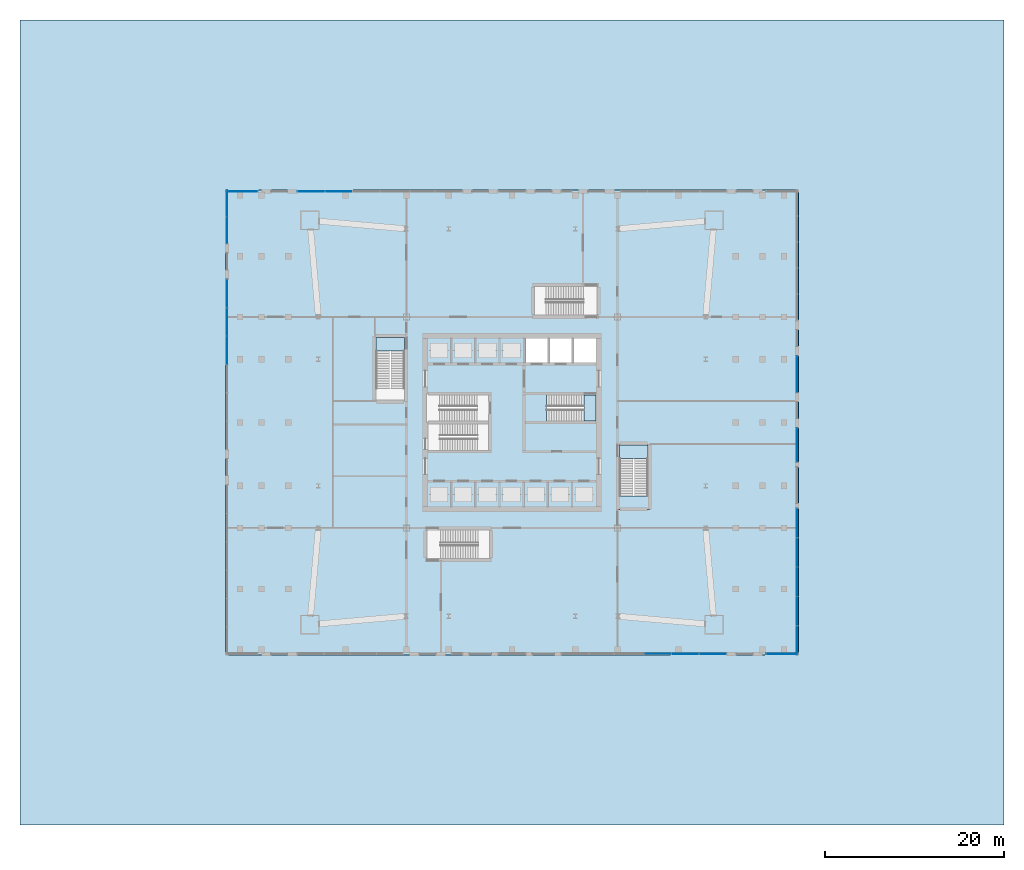
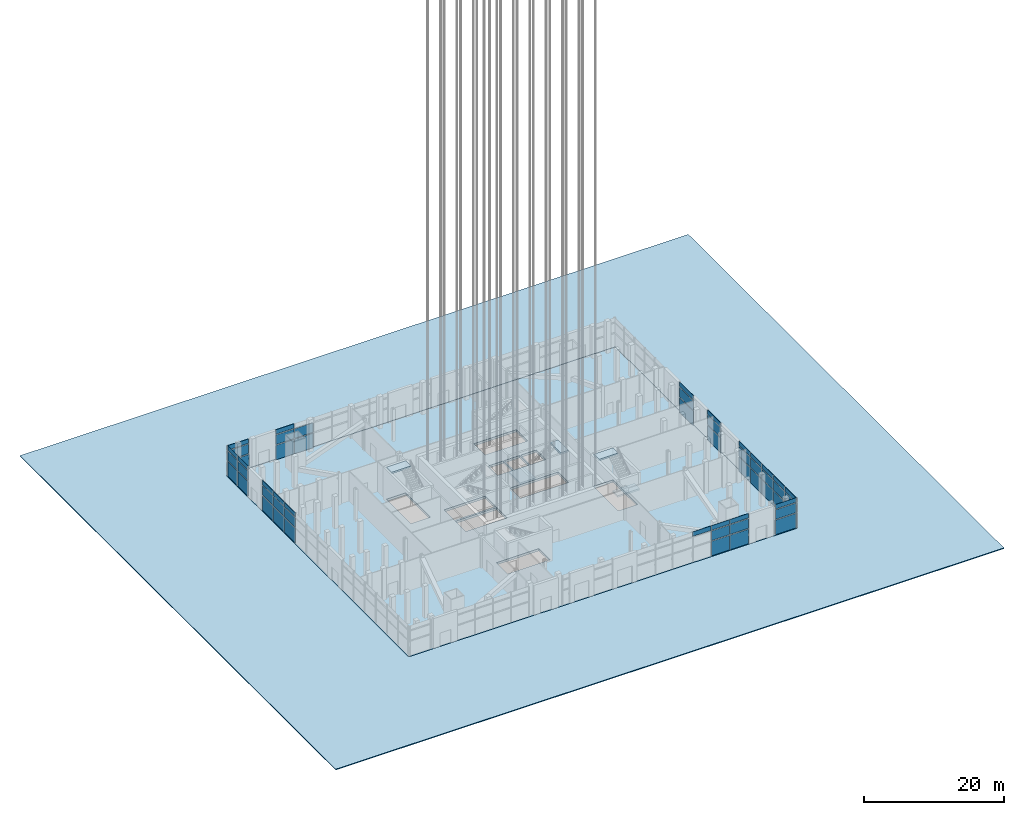
# One storey, part 10 of 27: 54 plates, 7 slabs, 12 elements without a shape of their own.
"""IFC4 building model written with IfcOpenShell, lengths in metres."""

import ifcopenshell
import ifcopenshell.guid

model = None  # the IFC model being written
_history = None  # IfcOwnerHistory: only IFC2X3 demands one
_inside = {}  # id of a spatial element -> (the spatial element, [elements in it])
_under = {}  # id of a project, library or spatial element -> (it, [spatial elements below it])
_declared = {}  # id of a project -> (the project, [libraries it declares])
_typed = {}  # id of a type object -> (the type object, [elements of that type])
_made_of = {}  # id of a material, layer set ... -> (it, [elements and type objects made of it])


def new_model(schema):
    """Start an empty IFC model of exactly this schema.

    Asked for "IFC4X3", IfcOpenShell would pick the latest addendum, in which some entities
    have other attributes; the version numbers below select the first issue.
    IFC2X3 requires an IfcOwnerHistory on every rooted entity: one is made here for all.
    """
    global model, _history
    if schema == "IFC4X3":
        model = ifcopenshell.file(schema_version=(4, 3, 0, 0))
    else:
        model = ifcopenshell.file(schema=schema)
    _inside.clear()
    _under.clear()
    _declared.clear()
    _typed.clear()
    _made_of.clear()
    _history = None
    if model.schema == "IFC2X3":
        org = make("IfcOrganization", Name="unknown")
        user = make(
            "IfcPersonAndOrganization",
            ThePerson=make("IfcPerson", FamilyName="unknown"),
            TheOrganization=org,
        )
        app = make(
            "IfcApplication",
            ApplicationDeveloper=org,
            Version="unknown",
            ApplicationFullName="unknown",
            ApplicationIdentifier="unknown",
        )
        _history = make(
            "IfcOwnerHistory",
            OwningUser=user,
            OwningApplication=app,
            ChangeAction="ADDED",
            CreationDate=0,
        )
    return model


def make(cls, **values):
    """One entity of the class cls with the attributes given. An attribute that is None is left unset."""
    return model.create_entity(
        cls, **{name: value for name, value in values.items() if value is not None}
    )


def rooted(cls, **values):
    """An entity with a GlobalId (a new one), such as an element, a storey or a relation."""
    return make(cls, GlobalId=ifcopenshell.guid.new(), OwnerHistory=_history, **values)


def si_unit(unit_type, name, prefix=None):
    """IfcSIUnit, for example si_unit("LENGTHUNIT", "METRE", prefix="MILLI")."""
    return make("IfcSIUnit", UnitType=unit_type, Prefix=prefix, Name=name)


def assignment(units):
    """IfcUnitAssignment: the units of a project."""
    return None if units is None else make("IfcUnitAssignment", Units=units)


def point(xyz):
    """IfcCartesianPoint."""
    return None if xyz is None else make("IfcCartesianPoint", Coordinates=xyz)


def direction(xyz):
    """IfcDirection."""
    return None if xyz is None else make("IfcDirection", DirectionRatios=xyz)


def frame(location, z_axis=None, x_axis=None):
    """IfcAxis2Placement3D, a coordinate frame: its origin and axes. An axis left out is left unset."""
    return make(
        "IfcAxis2Placement3D",
        Location=point(location),
        Axis=direction(z_axis),
        RefDirection=direction(x_axis),
    )


def frame_2d(location, x_axis=None):
    """IfcAxis2Placement2D, a coordinate frame in the plane: its origin and x axis."""
    return make(
        "IfcAxis2Placement2D", Location=point(location), RefDirection=direction(x_axis)
    )


def origin():
    """The frame at (0, 0, 0) with its axes left unset."""
    return frame((0.0, 0.0, 0.0))


def origin_2d():
    """The frame at (0, 0) in the plane with its x axis left unset."""
    return frame_2d((0.0, 0.0))


def place(relative_to, where):
    """IfcLocalPlacement: puts the frame where relative to a parent placement (None: the world)."""
    return make(
        "IfcLocalPlacement", PlacementRelTo=relative_to, RelativePlacement=where
    )


def context(
    kind, dimensions, precision=None, world=None, true_north=None, identifier=None
):
    """IfcGeometricRepresentationContext, for example the 3D "Model" context."""
    return make(
        "IfcGeometricRepresentationContext",
        ContextIdentifier=identifier,
        ContextType=kind,
        CoordinateSpaceDimension=dimensions,
        Precision=precision,
        WorldCoordinateSystem=world,
        TrueNorth=true_north,
    )


def subcontext(parent, identifier, kind, view, scale=None):
    """IfcGeometricRepresentationSubContext, for example "Body" below "Model"."""
    return make(
        "IfcGeometricRepresentationSubContext",
        ContextIdentifier=identifier,
        ContextType=kind,
        ParentContext=parent,
        TargetScale=scale,
        TargetView=view,
    )


def project(units=None, contexts=None):
    """IfcProject with its units and contexts."""
    return rooted(
        "IfcProject",
        Name="project",
        RepresentationContexts=contexts,
        UnitsInContext=assignment(units),
    )


def spatial(cls, under=None, at=None, **own):
    """A site, building, storey or space (cls), placed at a placement, below another one or the project."""
    s = rooted(cls, ObjectPlacement=at, **own)
    if under is not None:
        _under.setdefault(under.id(), (under, []))[1].append(s)
    return s


def polyline(points):
    """IfcPolyline through the points."""
    return make("IfcPolyline", Points=[point(p) for p in points])


def profile(cls, at=None, kind="AREA", **sizes):
    """A parametric profile (cls). Its sizes go by their IFC names, for example OverallWidth=200.0."""
    return make(cls, ProfileType=kind, Position=at, **sizes)


def rectangle(**sizes):
    """IfcRectangleProfileDef."""
    return profile("IfcRectangleProfileDef", **sizes)


def outline(outer, holes=None, kind="AREA"):
    """IfcArbitraryClosedProfileDef: a profile drawn as a closed curve; with holes, ...WithVoids."""
    if holes is None:
        return make("IfcArbitraryClosedProfileDef", ProfileType=kind, OuterCurve=outer)
    return make(
        "IfcArbitraryProfileDefWithVoids",
        ProfileType=kind,
        OuterCurve=outer,
        InnerCurves=holes,
    )


def extrude(swept, where, along, depth):
    """IfcExtrudedAreaSolid: the profile swept, set in the frame where, extruded along a direction by depth."""
    return make(
        "IfcExtrudedAreaSolid",
        SweptArea=swept,
        Position=where,
        ExtrudedDirection=direction(along),
        Depth=depth,
    )


def shape(context_of_items, identifier, shape_type, items):
    """IfcShapeRepresentation: the items that make up one representation, for example the "Body"."""
    return make(
        "IfcShapeRepresentation",
        ContextOfItems=context_of_items,
        RepresentationIdentifier=identifier,
        RepresentationType=shape_type,
        Items=items,
    )


def material(Name=None, Category=None):
    """IfcMaterial."""
    return make("IfcMaterial", Name=Name, Category=Category)


def layer(
    of_material, thickness, ventilated=None, Name=None, Category=None, Priority=None
):
    """IfcMaterialLayer: one layer of a wall or slab, of a material (None: an air gap)."""
    return make(
        "IfcMaterialLayer",
        Material=of_material,
        LayerThickness=thickness,
        IsVentilated=ventilated,
        Name=Name,
        Category=Category,
        Priority=Priority,
    )


def layer_set(layers, Name=None):
    """IfcMaterialLayerSet."""
    return make("IfcMaterialLayerSet", MaterialLayers=layers, LayerSetName=Name)


def made_of(thing, what):
    """Note that an element or type object is made of a material, layer set ...; save() writes the relation."""
    if what is not None:
        _made_of.setdefault(what.id(), (what, []))[1].append(thing)
    return thing


def type_object(cls, material=None, **own):
    """A type object (cls), such as IfcWallType, which elements share."""
    return made_of(rooted(cls, **own), material)


def element(
    cls,
    number,
    at=None,
    inside=None,
    cuts=None,
    type_object=None,
    material=None,
    context=None,
    identifier="Body",
    shape_type=None,
    held_by="IfcProductDefinitionShape",
    body=None,
    shapes=None,
    **own,
):
    """One element of the class cls, such as IfcWall. Its Tag is "e" and its number.

    at: its placement. inside: the storey or other place that contains it. cuts: it is an
    opening in that element (IfcRelVoidsElement). A single representation is given by context,
    identifier, shape_type and body (its items); several are given by shapes. held_by: the class
    of the entity that holds the representations. save() writes the other relations.
    """
    e = rooted(cls, Tag="e%d" % number, ObjectPlacement=at, **own)
    if body is not None:
        shapes = [shape(context, identifier, shape_type, body)]
    if shapes is not None:
        e.Representation = make(held_by, Representations=shapes)
    if inside is not None:
        _inside.setdefault(inside.id(), (inside, []))[1].append(e)
    if cuts is not None:
        rooted(
            "IfcRelVoidsElement", RelatingBuildingElement=cuts, RelatedOpeningElement=e
        )
    if type_object is not None:
        _typed.setdefault(type_object.id(), (type_object, []))[1].append(e)
    return made_of(e, material)


def aggregate(whole, parts):
    """IfcRelAggregates: a whole, such as a stair, and the parts it consists of."""
    return rooted("IfcRelAggregates", RelatingObject=whole, RelatedObjects=parts)


def save(model, path):
    """Write the relations noted so far, then the file.

    IfcRelAggregates (storeys below a building ...), IfcRelContainedInSpatialStructure (elements
    in a storey), IfcRelDefinesByType, IfcRelAssociatesMaterial and IfcRelDeclares: one each for
    every whole, place, type object, material and project.
    """
    for whole, parts in _under.values():
        aggregate(whole, parts)
    for where, things in _inside.values():
        rooted(
            "IfcRelContainedInSpatialStructure",
            RelatedElements=things,
            RelatingStructure=where,
        )
    for kind, things in _typed.values():
        rooted("IfcRelDefinesByType", RelatedObjects=things, RelatingType=kind)
    for what, things in _made_of.values():
        rooted("IfcRelAssociatesMaterial", RelatedObjects=things, RelatingMaterial=what)
    for by, libraries in _declared.values():
        rooted("IfcRelDeclares", RelatingContext=by, RelatedDefinitions=libraries)
    model.write(path)


model = new_model("IFC4")

# Units and contexts
model_context = context("Model", 3, precision=1e-05, world=origin(), true_north=direction((0.0, 1.0)))
body_context = subcontext(model_context, "Body", "Model", "MODEL_VIEW")
ifc_project = project(units=[si_unit("LENGTHUNIT", "METRE"), si_unit("AREAUNIT", "SQUARE_METRE"), si_unit("VOLUMEUNIT", "CUBIC_METRE"), si_unit("PLANEANGLEUNIT", "RADIAN"), si_unit("MASSUNIT", "GRAM", prefix="KILO")], contexts=[model_context])

# Site, building, storey
site_placement = place(None, origin())
site = spatial("IfcSite", under=ifc_project, at=site_placement, CompositionType="ELEMENT")
building_placement = place(site_placement, origin())
building = spatial("IfcBuilding", under=site, at=building_placement, Name="Turquesa Mirador Hotel Tower", CompositionType="ELEMENT")
storey_placement = place(building_placement, origin())
storey = spatial("IfcBuildingStorey", under=building, at=storey_placement, Name="L00", CompositionType="ELEMENT", Elevation=0.0)

# Curtain wall, plates
ifc_material_1 = material(Name="Aluminium extrusion", Category="aluminium")
curtain_wall_type = type_object("IfcCurtainWallType", Name="CW-1 LOBBY CURTAIN WALL", PredefinedType="USERDEFINED", material=ifc_material_1)
curtain_wall_1_placement = place(storey_placement, origin())
curtain_wall_1 = element("IfcCurtainWall", 1, at=curtain_wall_1_placement, inside=storey, type_object=curtain_wall_type, Name="CW-1 LOBBY CURTAIN WALL L00", ObjectType="CURTAIN WALL", PredefinedType="USERDEFINED")
ifc_material_2 = material(Name="Ceramic-printed spandrel glass on an insulated back pan", Category="glass")
ifc_layer_1 = layer(ifc_material_2, 0.050048828125)
ifc_layer_set_1 = layer_set([ifc_layer_1], Name="CW PANEL SPANDREL CERAMIC")
plate_type_1 = type_object("IfcPlateType", Name="CW PANEL SPANDREL CERAMIC", PredefinedType="CURTAIN_PANEL", material=ifc_layer_set_1)
plate_1_placement = place(storey_placement, frame((74.385009765625, 19.14990234375, 0.0), z_axis=(0.0, 0.0, 1.0), x_axis=(1.0, 0.0, 0.0)))
plate_1 = element("IfcPlate", 2, at=plate_1_placement, type_object=plate_type_1, Name="Panel", PredefinedType="CURTAIN_PANEL", context=body_context, shape_type="SweptSolid", body=[
    extrude(rectangle(XDim=3.01171875, YDim=0.050048828125, at=origin_2d()), origin(), (0.0, 0.0, 1.0), 2.52490234375),
])
plate_2_placement = place(storey_placement, frame((77.461669921875, 19.14990234375, 0.0), z_axis=(0.0, 0.0, 1.0), x_axis=(1.0, 0.0, 0.0)))
plate_2 = element("IfcPlate", 3, at=plate_2_placement, type_object=plate_type_1, Name="Panel", PredefinedType="CURTAIN_PANEL", context=body_context, shape_type="SweptSolid", body=[
    extrude(rectangle(XDim=3.01171875, YDim=0.050048828125, at=origin_2d()), origin(), (0.0, 0.0, 1.0), 2.52490234375),
])

# Curtain wall, plate
curtain_wall_2_placement = place(storey_placement, origin())
curtain_wall_2 = element("IfcCurtainWall", 4, at=curtain_wall_2_placement, inside=storey, type_object=curtain_wall_type, Name="CW-1 LOBBY CURTAIN WALL L00", ObjectType="CURTAIN WALL", PredefinedType="USERDEFINED")
plate_3_placement = place(storey_placement, frame((85.192138671875, 19.14990234375, 0.0), z_axis=(0.0, 0.0, 1.0), x_axis=(1.0, 0.0, 0.0)))
plate_3 = element("IfcPlate", 5, at=plate_3_placement, type_object=plate_type_1, Name="Panel", PredefinedType="CURTAIN_PANEL", context=body_context, shape_type="SweptSolid", body=[
    extrude(rectangle(XDim=3.550537109375, YDim=0.050048828125, at=origin_2d()), origin(), (0.0, 0.0, 1.0), 2.52490234375),
])

# Curtain wall, plates
curtain_wall_3_placement = place(storey_placement, origin())
curtain_wall_3 = element("IfcCurtainWall", 6, at=curtain_wall_3_placement, inside=storey, type_object=curtain_wall_type, Name="CW-1 LOBBY CURTAIN WALL L00", ObjectType="CURTAIN WALL", PredefinedType="USERDEFINED")
plate_4_placement = place(storey_placement, frame((86.85009765625, 20.639892578125, 0.0), z_axis=(0.0, 0.0, 1.0), x_axis=(0.0, 1.0, 0.0)))
plate_4 = element("IfcPlate", 7, at=plate_4_placement, type_object=plate_type_1, Name="Panel", PredefinedType="CURTAIN_PANEL", context=body_context, shape_type="SweptSolid", body=[
    extrude(rectangle(XDim=3.215087890625, YDim=0.050048828125, at=origin_2d()), origin(), (0.0, 0.0, 1.0), 2.52490234375),
])
plate_5_placement = place(storey_placement, frame((86.85009765625, 23.919921875, 0.0), z_axis=(0.0, 0.0, 1.0), x_axis=(0.0, 1.0, 0.0)))
plate_5 = element("IfcPlate", 8, at=plate_5_placement, type_object=plate_type_1, Name="Panel", PredefinedType="CURTAIN_PANEL", context=body_context, shape_type="SweptSolid", body=[
    extrude(rectangle(XDim=3.215087890625, YDim=0.050048828125, at=origin_2d()), origin(), (0.0, 0.0, 1.0), 2.52490234375),
])
plate_6_placement = place(storey_placement, frame((86.85009765625, 27.199951171875, 0.0), z_axis=(0.0, 0.0, 1.0), x_axis=(0.0, 1.0, 0.0)))
plate_6 = element("IfcPlate", 9, at=plate_6_placement, type_object=plate_type_1, Name="Panel", PredefinedType="CURTAIN_PANEL", context=body_context, shape_type="SweptSolid", body=[
    extrude(rectangle(XDim=3.215087890625, YDim=0.050048828125, at=origin_2d()), origin(), (0.0, 0.0, 1.0), 2.52490234375),
])
plate_7_placement = place(storey_placement, frame((86.85009765625, 30.47998046875, 0.0), z_axis=(0.0, 0.0, 1.0), x_axis=(0.0, 1.0, 0.0)))
plate_7 = element("IfcPlate", 10, at=plate_7_placement, type_object=plate_type_1, Name="Panel", PredefinedType="CURTAIN_PANEL", context=body_context, shape_type="SweptSolid", body=[
    extrude(rectangle(XDim=3.215087890625, YDim=0.050048828125, at=origin_2d()), origin(), (0.0, 0.0, 1.0), 2.52490234375),
])
plate_8_placement = place(storey_placement, frame((86.85009765625, 33.760009765625, 0.0), z_axis=(0.0, 0.0, 1.0), x_axis=(0.0, 1.0, 0.0)))
plate_8 = element("IfcPlate", 11, at=plate_8_placement, type_object=plate_type_1, Name="Panel", PredefinedType="CURTAIN_PANEL", context=body_context, shape_type="SweptSolid", body=[
    extrude(rectangle(XDim=3.215087890625, YDim=0.050048828125, at=origin_2d()), origin(), (0.0, 0.0, 1.0), 2.52490234375),
])

# Curtain wall, plate
curtain_wall_4_placement = place(storey_placement, origin())
curtain_wall_4 = element("IfcCurtainWall", 12, at=curtain_wall_4_placement, inside=storey, type_object=curtain_wall_type, Name="CW-1 LOBBY CURTAIN WALL L00", ObjectType="CURTAIN WALL", PredefinedType="USERDEFINED")
plate_9_placement = place(storey_placement, frame((86.85009765625, 42.487548828125, 0.0), z_axis=(0.0, 0.0, 1.0), x_axis=(0.0, 1.0, 0.0)))
plate_9 = element("IfcPlate", 13, at=plate_9_placement, type_object=plate_type_1, Name="Panel", PredefinedType="CURTAIN_PANEL", context=body_context, shape_type="SweptSolid", body=[
    extrude(rectangle(XDim=3.7099609375, YDim=0.050048828125, at=origin_2d()), origin(), (0.0, 0.0, 1.0), 2.52490234375),
])

curtain_wall_5_placement = place(storey_placement, origin())
curtain_wall_5 = element("IfcCurtainWall", 14, at=curtain_wall_5_placement, inside=storey, type_object=curtain_wall_type, Name="CW-1 LOBBY CURTAIN WALL L00", ObjectType="CURTAIN WALL", PredefinedType="USERDEFINED")
plate_10_placement = place(storey_placement, frame((86.85009765625, 50.407470703125, 0.0), z_axis=(0.0, 0.0, 1.0), x_axis=(0.0, 1.0, 0.0)))
plate_10 = element("IfcPlate", 15, at=plate_10_placement, type_object=plate_type_1, Name="Panel", PredefinedType="CURTAIN_PANEL", context=body_context, shape_type="SweptSolid", body=[
    extrude(rectangle(XDim=4.0, YDim=0.050048828125, at=origin_2d()), origin(), (0.0, 0.0, 1.0), 2.52490234375),
])

# Curtain wall, plates
curtain_wall_6_placement = place(storey_placement, origin())
curtain_wall_6 = element("IfcCurtainWall", 16, at=curtain_wall_6_placement, inside=storey, type_object=curtain_wall_type, Name="CW-1 LOBBY CURTAIN WALL L00", ObjectType="CURTAIN WALL", PredefinedType="USERDEFINED")
plate_11_placement = place(storey_placement, frame((35.614990234375, 70.85009765625, 0.0), z_axis=(0.0, 0.0, 1.0), x_axis=(-1.0, 0.0, 0.0)))
plate_11 = element("IfcPlate", 17, at=plate_11_placement, type_object=plate_type_1, Name="Panel", PredefinedType="CURTAIN_PANEL", context=body_context, shape_type="SweptSolid", body=[
    extrude(rectangle(XDim=3.01171875, YDim=0.050048828125, at=origin_2d()), origin(), (0.0, 0.0, 1.0), 2.52490234375),
])
plate_12_placement = place(storey_placement, frame((32.538330078125, 70.85009765625, 0.0), z_axis=(0.0, 0.0, 1.0), x_axis=(-1.0, 0.0, 0.0)))
plate_12 = element("IfcPlate", 18, at=plate_12_placement, type_object=plate_type_1, Name="Panel", PredefinedType="CURTAIN_PANEL", context=body_context, shape_type="SweptSolid", body=[
    extrude(rectangle(XDim=3.01171875, YDim=0.050048828125, at=origin_2d()), origin(), (0.0, 0.0, 1.0), 2.52490234375),
])

# Curtain wall, plate
curtain_wall_7_placement = place(storey_placement, origin())
curtain_wall_7 = element("IfcCurtainWall", 19, at=curtain_wall_7_placement, inside=storey, type_object=curtain_wall_type, Name="CW-1 LOBBY CURTAIN WALL L00", ObjectType="CURTAIN WALL", PredefinedType="USERDEFINED")
plate_13_placement = place(storey_placement, frame((24.807861328125, 70.85009765625, 0.0), z_axis=(0.0, 0.0, 1.0), x_axis=(-1.0, 0.0, 0.0)))
plate_13 = element("IfcPlate", 20, at=plate_13_placement, type_object=plate_type_1, Name="Panel", PredefinedType="CURTAIN_PANEL", context=body_context, shape_type="SweptSolid", body=[
    extrude(rectangle(XDim=3.550537109375, YDim=0.050048828125, at=origin_2d()), origin(), (0.0, 0.0, 1.0), 2.52490234375),
])

# Curtain wall, plates
curtain_wall_8_placement = place(storey_placement, origin())
curtain_wall_8 = element("IfcCurtainWall", 21, at=curtain_wall_8_placement, inside=storey, type_object=curtain_wall_type, Name="CW-1 LOBBY CURTAIN WALL L00", ObjectType="CURTAIN WALL", PredefinedType="USERDEFINED")
plate_14_placement = place(storey_placement, frame((23.14990234375, 69.5, 0.0), z_axis=(0.0, 0.0, 1.0), x_axis=(0.0, -1.0, 0.0)))
plate_14 = element("IfcPlate", 22, at=plate_14_placement, type_object=plate_type_1, Name="Panel", PredefinedType="CURTAIN_PANEL", context=body_context, shape_type="SweptSolid", body=[
    extrude(rectangle(XDim=2.93505859375, YDim=0.050048828125, at=origin_2d()), origin(), (0.0, 0.0, 1.0), 2.52490234375),
])
plate_15_placement = place(storey_placement, frame((23.14990234375, 66.5, 0.0), z_axis=(0.0, 0.0, 1.0), x_axis=(0.0, -1.0, 0.0)))
plate_15 = element("IfcPlate", 23, at=plate_15_placement, type_object=plate_type_1, Name="Panel", PredefinedType="CURTAIN_PANEL", context=body_context, shape_type="SweptSolid", body=[
    extrude(rectangle(XDim=2.93505859375, YDim=0.050048828125, at=origin_2d()), origin(), (0.0, 0.0, 1.0), 2.52490234375),
])

curtain_wall_9_placement = place(storey_placement, origin())
curtain_wall_9 = element("IfcCurtainWall", 24, at=curtain_wall_9_placement, inside=storey, type_object=curtain_wall_type, Name="CW-1 LOBBY CURTAIN WALL L00", ObjectType="CURTAIN WALL", PredefinedType="USERDEFINED")
plate_16_placement = place(storey_placement, frame((23.14990234375, 59.416748046875, 0.0), z_axis=(0.0, 0.0, 1.0), x_axis=(0.0, -1.0, 0.0)))
plate_16 = element("IfcPlate", 25, at=plate_16_placement, type_object=plate_type_1, Name="Panel", PredefinedType="CURTAIN_PANEL", context=body_context, shape_type="SweptSolid", body=[
    extrude(rectangle(XDim=3.1015625, YDim=0.050048828125, at=origin_2d()), origin(), (0.0, 0.0, 1.0), 2.52490234375),
])
plate_17_placement = place(storey_placement, frame((23.14990234375, 56.25, 0.0), z_axis=(0.0, 0.0, 1.0), x_axis=(0.0, -1.0, 0.0)))
plate_17 = element("IfcPlate", 26, at=plate_17_placement, type_object=plate_type_1, Name="Panel", PredefinedType="CURTAIN_PANEL", context=body_context, shape_type="SweptSolid", body=[
    extrude(rectangle(XDim=3.1015625, YDim=0.050048828125, at=origin_2d()), origin(), (0.0, 0.0, 1.0), 2.52490234375),
])
plate_18_placement = place(storey_placement, frame((23.14990234375, 53.083251953125, 0.0), z_axis=(0.0, 0.0, 1.0), x_axis=(0.0, -1.0, 0.0)))
plate_18 = element("IfcPlate", 27, at=plate_18_placement, type_object=plate_type_1, Name="Panel", PredefinedType="CURTAIN_PANEL", context=body_context, shape_type="SweptSolid", body=[
    extrude(rectangle(XDim=3.1015625, YDim=0.050048828125, at=origin_2d()), origin(), (0.0, 0.0, 1.0), 2.52490234375),
])

# Plate
ifc_material_3 = material(Name="Ceramic-fritted laminated glass", Category="glass")
ifc_layer_2 = layer(ifc_material_3, 0.031982421875)
ifc_layer_set_2 = layer_set([ifc_layer_2], Name="CW PANEL VISION FRITTED")
plate_type_2 = type_object("IfcPlateType", Name="CW PANEL VISION FRITTED", PredefinedType="CURTAIN_PANEL", material=ifc_layer_set_2)
plate_19_placement = place(storey_placement, frame((71.308349609375, 19.14990234375, 4.47509765625), z_axis=(0.0, 0.0, 1.0), x_axis=(1.0, 0.0, 0.0)))
plate_19 = element("IfcPlate", 28, at=plate_19_placement, type_object=plate_type_2, Name="Panel", PredefinedType="CURTAIN_PANEL", context=body_context, shape_type="SweptSolid", body=[
    extrude(rectangle(XDim=3.01171875, YDim=0.031982421875, at=origin_2d()), origin(), (0.0, 0.0, 1.0), 0.77490234375),
])

plate_20_placement = place(storey_placement, frame((74.385009765625, 19.14990234375, 2.675048828125), z_axis=(0.0, 0.0, 1.0), x_axis=(1.0, 0.0, 0.0)))
plate_20 = element("IfcPlate", 29, at=plate_20_placement, type_object=plate_type_2, Name="Panel", PredefinedType="CURTAIN_PANEL", context=body_context, shape_type="SweptSolid", body=[
    extrude(rectangle(XDim=3.01171875, YDim=0.031982421875, at=origin_2d()), origin(), (0.0, 0.0, 1.0), 1.64990234375),
])

plate_21_placement = place(storey_placement, frame((74.385009765625, 19.14990234375, 4.47509765625), z_axis=(0.0, 0.0, 1.0), x_axis=(1.0, 0.0, 0.0)))
plate_21 = element("IfcPlate", 30, at=plate_21_placement, type_object=plate_type_2, Name="Panel", PredefinedType="CURTAIN_PANEL", context=body_context, shape_type="SweptSolid", body=[
    extrude(rectangle(XDim=3.01171875, YDim=0.031982421875, at=origin_2d()), origin(), (0.0, 0.0, 1.0), 0.77490234375),
])

plate_22_placement = place(storey_placement, frame((77.461669921875, 19.14990234375, 2.675048828125), z_axis=(0.0, 0.0, 1.0), x_axis=(1.0, 0.0, 0.0)))
plate_22 = element("IfcPlate", 31, at=plate_22_placement, type_object=plate_type_2, Name="Panel", PredefinedType="CURTAIN_PANEL", context=body_context, shape_type="SweptSolid", body=[
    extrude(rectangle(XDim=3.01171875, YDim=0.031982421875, at=origin_2d()), origin(), (0.0, 0.0, 1.0), 1.64990234375),
])

plate_23_placement = place(storey_placement, frame((77.461669921875, 19.14990234375, 4.47509765625), z_axis=(0.0, 0.0, 1.0), x_axis=(1.0, 0.0, 0.0)))
plate_23 = element("IfcPlate", 32, at=plate_23_placement, type_object=plate_type_2, Name="Panel", PredefinedType="CURTAIN_PANEL", context=body_context, shape_type="SweptSolid", body=[
    extrude(rectangle(XDim=3.01171875, YDim=0.031982421875, at=origin_2d()), origin(), (0.0, 0.0, 1.0), 0.77490234375),
])

aggregate(curtain_wall_1, [plate_19, plate_1, plate_20, plate_21, plate_2, plate_22, plate_23])

plate_24_placement = place(storey_placement, frame((85.192138671875, 19.14990234375, 2.675048828125), z_axis=(0.0, 0.0, 1.0), x_axis=(1.0, 0.0, 0.0)))
plate_24 = element("IfcPlate", 33, at=plate_24_placement, type_object=plate_type_2, Name="Panel", PredefinedType="CURTAIN_PANEL", context=body_context, shape_type="SweptSolid", body=[
    extrude(rectangle(XDim=3.550537109375, YDim=0.031982421875, at=origin_2d()), origin(), (0.0, 0.0, 1.0), 1.64990234375),
])

plate_25_placement = place(storey_placement, frame((85.192138671875, 19.14990234375, 4.47509765625), z_axis=(0.0, 0.0, 1.0), x_axis=(1.0, 0.0, 0.0)))
plate_25 = element("IfcPlate", 34, at=plate_25_placement, type_object=plate_type_2, Name="Panel", PredefinedType="CURTAIN_PANEL", context=body_context, shape_type="SweptSolid", body=[
    extrude(rectangle(XDim=3.550537109375, YDim=0.031982421875, at=origin_2d()), origin(), (0.0, 0.0, 1.0), 0.77490234375),
])

aggregate(curtain_wall_2, [plate_3, plate_24, plate_25])

plate_26_placement = place(storey_placement, frame((86.85009765625, 20.639892578125, 2.675048828125), z_axis=(0.0, 0.0, 1.0), x_axis=(0.0, 1.0, 0.0)))
plate_26 = element("IfcPlate", 35, at=plate_26_placement, type_object=plate_type_2, Name="Panel", PredefinedType="CURTAIN_PANEL", context=body_context, shape_type="SweptSolid", body=[
    extrude(rectangle(XDim=3.215087890625, YDim=0.031982421875, at=origin_2d()), origin(), (0.0, 0.0, 1.0), 1.64990234375),
])

plate_27_placement = place(storey_placement, frame((86.85009765625, 20.639892578125, 4.47509765625), z_axis=(0.0, 0.0, 1.0), x_axis=(0.0, 1.0, 0.0)))
plate_27 = element("IfcPlate", 36, at=plate_27_placement, type_object=plate_type_2, Name="Panel", PredefinedType="CURTAIN_PANEL", context=body_context, shape_type="SweptSolid", body=[
    extrude(rectangle(XDim=3.215087890625, YDim=0.031982421875, at=origin_2d()), origin(), (0.0, 0.0, 1.0), 0.77490234375),
])

plate_28_placement = place(storey_placement, frame((86.85009765625, 23.919921875, 2.675048828125), z_axis=(0.0, 0.0, 1.0), x_axis=(0.0, 1.0, 0.0)))
plate_28 = element("IfcPlate", 37, at=plate_28_placement, type_object=plate_type_2, Name="Panel", PredefinedType="CURTAIN_PANEL", context=body_context, shape_type="SweptSolid", body=[
    extrude(rectangle(XDim=3.215087890625, YDim=0.031982421875, at=origin_2d()), origin(), (0.0, 0.0, 1.0), 1.64990234375),
])

plate_29_placement = place(storey_placement, frame((86.85009765625, 23.919921875, 4.47509765625), z_axis=(0.0, 0.0, 1.0), x_axis=(0.0, 1.0, 0.0)))
plate_29 = element("IfcPlate", 38, at=plate_29_placement, type_object=plate_type_2, Name="Panel", PredefinedType="CURTAIN_PANEL", context=body_context, shape_type="SweptSolid", body=[
    extrude(rectangle(XDim=3.215087890625, YDim=0.031982421875, at=origin_2d()), origin(), (0.0, 0.0, 1.0), 0.77490234375),
])

plate_30_placement = place(storey_placement, frame((86.85009765625, 27.199951171875, 2.675048828125), z_axis=(0.0, 0.0, 1.0), x_axis=(0.0, 1.0, 0.0)))
plate_30 = element("IfcPlate", 39, at=plate_30_placement, type_object=plate_type_2, Name="Panel", PredefinedType="CURTAIN_PANEL", context=body_context, shape_type="SweptSolid", body=[
    extrude(rectangle(XDim=3.215087890625, YDim=0.031982421875, at=origin_2d()), origin(), (0.0, 0.0, 1.0), 1.64990234375),
])

plate_31_placement = place(storey_placement, frame((86.85009765625, 27.199951171875, 4.47509765625), z_axis=(0.0, 0.0, 1.0), x_axis=(0.0, 1.0, 0.0)))
plate_31 = element("IfcPlate", 40, at=plate_31_placement, type_object=plate_type_2, Name="Panel", PredefinedType="CURTAIN_PANEL", context=body_context, shape_type="SweptSolid", body=[
    extrude(rectangle(XDim=3.215087890625, YDim=0.031982421875, at=origin_2d()), origin(), (0.0, 0.0, 1.0), 0.77490234375),
])

plate_32_placement = place(storey_placement, frame((86.85009765625, 30.47998046875, 2.675048828125), z_axis=(0.0, 0.0, 1.0), x_axis=(0.0, 1.0, 0.0)))
plate_32 = element("IfcPlate", 41, at=plate_32_placement, type_object=plate_type_2, Name="Panel", PredefinedType="CURTAIN_PANEL", context=body_context, shape_type="SweptSolid", body=[
    extrude(rectangle(XDim=3.215087890625, YDim=0.031982421875, at=origin_2d()), origin(), (0.0, 0.0, 1.0), 1.64990234375),
])

plate_33_placement = place(storey_placement, frame((86.85009765625, 30.47998046875, 4.47509765625), z_axis=(0.0, 0.0, 1.0), x_axis=(0.0, 1.0, 0.0)))
plate_33 = element("IfcPlate", 42, at=plate_33_placement, type_object=plate_type_2, Name="Panel", PredefinedType="CURTAIN_PANEL", context=body_context, shape_type="SweptSolid", body=[
    extrude(rectangle(XDim=3.215087890625, YDim=0.031982421875, at=origin_2d()), origin(), (0.0, 0.0, 1.0), 0.77490234375),
])

plate_34_placement = place(storey_placement, frame((86.85009765625, 33.760009765625, 2.675048828125), z_axis=(0.0, 0.0, 1.0), x_axis=(0.0, 1.0, 0.0)))
plate_34 = element("IfcPlate", 43, at=plate_34_placement, type_object=plate_type_2, Name="Panel", PredefinedType="CURTAIN_PANEL", context=body_context, shape_type="SweptSolid", body=[
    extrude(rectangle(XDim=3.215087890625, YDim=0.031982421875, at=origin_2d()), origin(), (0.0, 0.0, 1.0), 1.64990234375),
])

plate_35_placement = place(storey_placement, frame((86.85009765625, 33.760009765625, 4.47509765625), z_axis=(0.0, 0.0, 1.0), x_axis=(0.0, 1.0, 0.0)))
plate_35 = element("IfcPlate", 44, at=plate_35_placement, type_object=plate_type_2, Name="Panel", PredefinedType="CURTAIN_PANEL", context=body_context, shape_type="SweptSolid", body=[
    extrude(rectangle(XDim=3.215087890625, YDim=0.031982421875, at=origin_2d()), origin(), (0.0, 0.0, 1.0), 0.77490234375),
])

aggregate(curtain_wall_3, [plate_4, plate_26, plate_27, plate_5, plate_28, plate_29, plate_6, plate_30, plate_31, plate_7, plate_32, plate_33, plate_8, plate_34, plate_35])

plate_36_placement = place(storey_placement, frame((86.85009765625, 42.487548828125, 2.675048828125), z_axis=(0.0, 0.0, 1.0), x_axis=(0.0, 1.0, 0.0)))
plate_36 = element("IfcPlate", 45, at=plate_36_placement, type_object=plate_type_2, Name="Panel", PredefinedType="CURTAIN_PANEL", context=body_context, shape_type="SweptSolid", body=[
    extrude(rectangle(XDim=3.7099609375, YDim=0.031982421875, at=origin_2d()), origin(), (0.0, 0.0, 1.0), 1.64990234375),
])

plate_37_placement = place(storey_placement, frame((86.85009765625, 42.487548828125, 4.47509765625), z_axis=(0.0, 0.0, 1.0), x_axis=(0.0, 1.0, 0.0)))
plate_37 = element("IfcPlate", 46, at=plate_37_placement, type_object=plate_type_2, Name="Panel", PredefinedType="CURTAIN_PANEL", context=body_context, shape_type="SweptSolid", body=[
    extrude(rectangle(XDim=3.7099609375, YDim=0.031982421875, at=origin_2d()), origin(), (0.0, 0.0, 1.0), 0.77490234375),
])

aggregate(curtain_wall_4, [plate_9, plate_36, plate_37])

plate_38_placement = place(storey_placement, frame((86.85009765625, 50.407470703125, 2.675048828125), z_axis=(0.0, 0.0, 1.0), x_axis=(0.0, 1.0, 0.0)))
plate_38 = element("IfcPlate", 47, at=plate_38_placement, type_object=plate_type_2, Name="Panel", PredefinedType="CURTAIN_PANEL", context=body_context, shape_type="SweptSolid", body=[
    extrude(rectangle(XDim=4.0, YDim=0.031982421875, at=origin_2d()), origin(), (0.0, 0.0, 1.0), 1.64990234375),
])

plate_39_placement = place(storey_placement, frame((86.85009765625, 50.407470703125, 4.47509765625), z_axis=(0.0, 0.0, 1.0), x_axis=(0.0, 1.0, 0.0)))
plate_39 = element("IfcPlate", 48, at=plate_39_placement, type_object=plate_type_2, Name="Panel", PredefinedType="CURTAIN_PANEL", context=body_context, shape_type="SweptSolid", body=[
    extrude(rectangle(XDim=4.0, YDim=0.031982421875, at=origin_2d()), origin(), (0.0, 0.0, 1.0), 0.77490234375),
])

aggregate(curtain_wall_5, [plate_10, plate_38, plate_39])

plate_40_placement = place(storey_placement, frame((35.614990234375, 70.85009765625, 2.675048828125), z_axis=(0.0, 0.0, 1.0), x_axis=(-1.0, 0.0, 0.0)))
plate_40 = element("IfcPlate", 49, at=plate_40_placement, type_object=plate_type_2, Name="Panel", PredefinedType="CURTAIN_PANEL", context=body_context, shape_type="SweptSolid", body=[
    extrude(rectangle(XDim=3.01171875, YDim=0.031982421875, at=origin_2d()), origin(), (0.0, 0.0, 1.0), 1.64990234375),
])

plate_41_placement = place(storey_placement, frame((32.538330078125, 70.85009765625, 2.675048828125), z_axis=(0.0, 0.0, 1.0), x_axis=(-1.0, 0.0, 0.0)))
plate_41 = element("IfcPlate", 50, at=plate_41_placement, type_object=plate_type_2, Name="Panel", PredefinedType="CURTAIN_PANEL", context=body_context, shape_type="SweptSolid", body=[
    extrude(rectangle(XDim=3.01171875, YDim=0.031982421875, at=origin_2d()), origin(), (0.0, 0.0, 1.0), 1.64990234375),
])

plate_42_placement = place(storey_placement, frame((32.538330078125, 70.85009765625, 4.47509765625), z_axis=(0.0, 0.0, 1.0), x_axis=(-1.0, 0.0, 0.0)))
plate_42 = element("IfcPlate", 51, at=plate_42_placement, type_object=plate_type_2, Name="Panel", PredefinedType="CURTAIN_PANEL", context=body_context, shape_type="SweptSolid", body=[
    extrude(rectangle(XDim=3.01171875, YDim=0.031982421875, at=origin_2d()), origin(), (0.0, 0.0, 1.0), 0.77490234375),
])

aggregate(curtain_wall_6, [plate_11, plate_40, plate_12, plate_41, plate_42])

plate_43_placement = place(storey_placement, frame((24.807861328125, 70.85009765625, 2.675048828125), z_axis=(0.0, 0.0, 1.0), x_axis=(-1.0, 0.0, 0.0)))
plate_43 = element("IfcPlate", 52, at=plate_43_placement, type_object=plate_type_2, Name="Panel", PredefinedType="CURTAIN_PANEL", context=body_context, shape_type="SweptSolid", body=[
    extrude(rectangle(XDim=3.550537109375, YDim=0.031982421875, at=origin_2d()), origin(), (0.0, 0.0, 1.0), 1.64990234375),
])

plate_44_placement = place(storey_placement, frame((24.807861328125, 70.85009765625, 4.47509765625), z_axis=(0.0, 0.0, 1.0), x_axis=(-1.0, 0.0, 0.0)))
plate_44 = element("IfcPlate", 53, at=plate_44_placement, type_object=plate_type_2, Name="Panel", PredefinedType="CURTAIN_PANEL", context=body_context, shape_type="SweptSolid", body=[
    extrude(rectangle(XDim=3.550537109375, YDim=0.031982421875, at=origin_2d()), origin(), (0.0, 0.0, 1.0), 0.77490234375),
])

aggregate(curtain_wall_7, [plate_13, plate_43, plate_44])

plate_45_placement = place(storey_placement, frame((23.14990234375, 69.5, 2.675048828125), z_axis=(0.0, 0.0, 1.0), x_axis=(0.0, -1.0, 0.0)))
plate_45 = element("IfcPlate", 54, at=plate_45_placement, type_object=plate_type_2, Name="Panel", PredefinedType="CURTAIN_PANEL", context=body_context, shape_type="SweptSolid", body=[
    extrude(rectangle(XDim=2.93505859375, YDim=0.031982421875, at=origin_2d()), origin(), (0.0, 0.0, 1.0), 1.64990234375),
])

plate_46_placement = place(storey_placement, frame((23.14990234375, 69.5, 4.47509765625), z_axis=(0.0, 0.0, 1.0), x_axis=(0.0, -1.0, 0.0)))
plate_46 = element("IfcPlate", 55, at=plate_46_placement, type_object=plate_type_2, Name="Panel", PredefinedType="CURTAIN_PANEL", context=body_context, shape_type="SweptSolid", body=[
    extrude(rectangle(XDim=2.93505859375, YDim=0.031982421875, at=origin_2d()), origin(), (0.0, 0.0, 1.0), 0.77490234375),
])

plate_47_placement = place(storey_placement, frame((23.14990234375, 66.5, 2.675048828125), z_axis=(0.0, 0.0, 1.0), x_axis=(0.0, -1.0, 0.0)))
plate_47 = element("IfcPlate", 56, at=plate_47_placement, type_object=plate_type_2, Name="Panel", PredefinedType="CURTAIN_PANEL", context=body_context, shape_type="SweptSolid", body=[
    extrude(rectangle(XDim=2.93505859375, YDim=0.031982421875, at=origin_2d()), origin(), (0.0, 0.0, 1.0), 1.64990234375),
])

plate_48_placement = place(storey_placement, frame((23.14990234375, 66.5, 4.47509765625), z_axis=(0.0, 0.0, 1.0), x_axis=(0.0, -1.0, 0.0)))
plate_48 = element("IfcPlate", 57, at=plate_48_placement, type_object=plate_type_2, Name="Panel", PredefinedType="CURTAIN_PANEL", context=body_context, shape_type="SweptSolid", body=[
    extrude(rectangle(XDim=2.93505859375, YDim=0.031982421875, at=origin_2d()), origin(), (0.0, 0.0, 1.0), 0.77490234375),
])

aggregate(curtain_wall_8, [plate_14, plate_45, plate_46, plate_15, plate_47, plate_48])

plate_49_placement = place(storey_placement, frame((23.14990234375, 59.416748046875, 2.675048828125), z_axis=(0.0, 0.0, 1.0), x_axis=(0.0, -1.0, 0.0)))
plate_49 = element("IfcPlate", 58, at=plate_49_placement, type_object=plate_type_2, Name="Panel", PredefinedType="CURTAIN_PANEL", context=body_context, shape_type="SweptSolid", body=[
    extrude(rectangle(XDim=3.1015625, YDim=0.031982421875, at=origin_2d()), origin(), (0.0, 0.0, 1.0), 1.64990234375),
])

plate_50_placement = place(storey_placement, frame((23.14990234375, 59.416748046875, 4.47509765625), z_axis=(0.0, 0.0, 1.0), x_axis=(0.0, -1.0, 0.0)))
plate_50 = element("IfcPlate", 59, at=plate_50_placement, type_object=plate_type_2, Name="Panel", PredefinedType="CURTAIN_PANEL", context=body_context, shape_type="SweptSolid", body=[
    extrude(rectangle(XDim=3.1015625, YDim=0.031982421875, at=origin_2d()), origin(), (0.0, 0.0, 1.0), 0.77490234375),
])

plate_51_placement = place(storey_placement, frame((23.14990234375, 56.25, 2.675048828125), z_axis=(0.0, 0.0, 1.0), x_axis=(0.0, -1.0, 0.0)))
plate_51 = element("IfcPlate", 60, at=plate_51_placement, type_object=plate_type_2, Name="Panel", PredefinedType="CURTAIN_PANEL", context=body_context, shape_type="SweptSolid", body=[
    extrude(rectangle(XDim=3.1015625, YDim=0.031982421875, at=origin_2d()), origin(), (0.0, 0.0, 1.0), 1.64990234375),
])

plate_52_placement = place(storey_placement, frame((23.14990234375, 56.25, 4.47509765625), z_axis=(0.0, 0.0, 1.0), x_axis=(0.0, -1.0, 0.0)))
plate_52 = element("IfcPlate", 61, at=plate_52_placement, type_object=plate_type_2, Name="Panel", PredefinedType="CURTAIN_PANEL", context=body_context, shape_type="SweptSolid", body=[
    extrude(rectangle(XDim=3.1015625, YDim=0.031982421875, at=origin_2d()), origin(), (0.0, 0.0, 1.0), 0.77490234375),
])

plate_53_placement = place(storey_placement, frame((23.14990234375, 53.083251953125, 2.675048828125), z_axis=(0.0, 0.0, 1.0), x_axis=(0.0, -1.0, 0.0)))
plate_53 = element("IfcPlate", 62, at=plate_53_placement, type_object=plate_type_2, Name="Panel", PredefinedType="CURTAIN_PANEL", context=body_context, shape_type="SweptSolid", body=[
    extrude(rectangle(XDim=3.1015625, YDim=0.031982421875, at=origin_2d()), origin(), (0.0, 0.0, 1.0), 1.64990234375),
])

plate_54_placement = place(storey_placement, frame((23.14990234375, 53.083251953125, 4.47509765625), z_axis=(0.0, 0.0, 1.0), x_axis=(0.0, -1.0, 0.0)))
plate_54 = element("IfcPlate", 63, at=plate_54_placement, type_object=plate_type_2, Name="Panel", PredefinedType="CURTAIN_PANEL", context=body_context, shape_type="SweptSolid", body=[
    extrude(rectangle(XDim=3.1015625, YDim=0.031982421875, at=origin_2d()), origin(), (0.0, 0.0, 1.0), 0.77490234375),
])

aggregate(curtain_wall_9, [plate_16, plate_49, plate_50, plate_17, plate_51, plate_52, plate_18, plate_53, plate_54])

# Slab
ifc_material_4 = material(Name="Stone paving on concrete base", Category="masonry")
ifc_layer_3 = layer(ifc_material_4, 0.14990234375)
ifc_layer_set_3 = layer_set([ifc_layer_3], Name="SITE PAVING 150")
slab_type_1 = type_object("IfcSlabType", Name="SITE PAVING 150", PredefinedType="USERDEFINED", material=ifc_layer_set_3)
slab_1_placement = place(storey_placement, frame((0.0, 0.0, -0.14990234375)))
element("IfcSlab", 64, at=slab_1_placement, inside=storey, type_object=slab_type_1, Name="Forecourt and street paving", ObjectType="PAVING", PredefinedType="USERDEFINED", context=body_context, shape_type="SweptSolid", body=[
    extrude(outline(polyline([(110.0, 0.0), (110.0, 90.0), (0.0, 90.0), (0.0, 0.0), (110.0, 0.0)]), holes=[polyline([(87.0, 19.0), (87.0, 71.0), (23.0, 71.0), (23.0, 19.0), (87.0, 19.0)])]), origin(), (0.0, 0.0, 1.0), 0.14990234375),
])

# Stair, slabs
ifc_material_5 = material(Name="Concrete C35/45", Category="concrete")
stair_type_1 = type_object("IfcStairType", Name="ESCAPE STAIR CORE", PredefinedType="HALF_TURN_STAIR", material=ifc_material_5)
stair_1_placement = place(storey_placement, origin())
stair_1 = element("IfcStair", 65, at=stair_1_placement, inside=storey, type_object=stair_type_1, Name="Stair ST3 L00 to L01", PredefinedType="HALF_TURN_STAIR")
ifc_material_6 = material(Name="Concrete C35/45", Category="concrete")
ifc_layer_4 = layer(ifc_material_6, 0.300048828125)
ifc_layer_set_4 = layer_set([ifc_layer_4], Name="STAIR LANDING 300")
slab_type_2 = type_object("IfcSlabType", Name="STAIR LANDING 300", PredefinedType="LANDING", material=ifc_layer_set_4)
slab_2_placement = place(storey_placement, frame((0.0, 0.0, 2.5)))
slab_2 = element("IfcSlab", 66, at=slab_2_placement, type_object=slab_type_2, Name="ST3 landing 1", PredefinedType="LANDING", context=body_context, shape_type="SweptSolid", body=[
    extrude(outline(polyline([(56.35009765625, 45.0), (58.8701171875, 45.0), (58.8701171875, 48.25), (56.35009765625, 48.25), (56.35009765625, 45.0)])), origin(), (0.0, 0.0, 1.0), 0.300048828125),
])
slab_3_placement = place(storey_placement, frame((0.0, 0.0, 5.300048828125)))
slab_3 = element("IfcSlab", 67, at=slab_3_placement, type_object=slab_type_2, Name="ST3 landing 2", PredefinedType="LANDING", context=body_context, shape_type="SweptSolid", body=[
    extrude(outline(polyline([(63.070068359375, 45.14990234375), (64.39990234375, 45.14990234375), (64.39990234375, 48.10009765625), (63.070068359375, 48.10009765625), (63.070068359375, 45.14990234375)])), origin(), (0.0, 0.0, 1.0), 0.300048828125),
])
aggregate(stair_1, [slab_2, slab_3])

ifc_material_7 = material(Name="Concrete C35/45", Category="concrete")
stair_type_2 = type_object("IfcStairType", Name="ESCAPE STAIR PODIUM", PredefinedType="HALF_TURN_STAIR", material=ifc_material_7)
stair_2_placement = place(storey_placement, origin())
stair_2 = element("IfcStair", 68, at=stair_2_placement, inside=storey, type_object=stair_type_2, Name="Stair PS3 L00 to L01", PredefinedType="HALF_TURN_STAIR")
slab_4_placement = place(storey_placement, frame((0.0, 0.0, 2.5)))
slab_4 = element("IfcSlab", 69, at=slab_4_placement, type_object=slab_type_2, Name="PS3 landing 1", PredefinedType="LANDING", context=body_context, shape_type="SweptSolid", body=[
    extrude(outline(polyline([(66.800048828125, 35.300048828125), (70.39990234375, 35.300048828125), (70.39990234375, 36.800048828125), (66.800048828125, 36.800048828125), (66.800048828125, 35.300048828125)])), origin(), (0.0, 0.0, 1.0), 0.300048828125),
])
slab_5_placement = place(storey_placement, frame((0.0, 0.0, 5.300048828125)))
slab_5 = element("IfcSlab", 70, at=slab_5_placement, type_object=slab_type_2, Name="PS3 landing 2", PredefinedType="LANDING", context=body_context, shape_type="SweptSolid", body=[
    extrude(outline(polyline([(67.0, 41.0), (70.199951171875, 41.0), (70.199951171875, 42.5), (67.0, 42.5), (67.0, 41.0)])), origin(), (0.0, 0.0, 1.0), 0.300048828125),
])
aggregate(stair_2, [slab_4, slab_5])

# Stair, slab
stair_3_placement = place(storey_placement, origin())
stair_3 = element("IfcStair", 71, at=stair_3_placement, inside=storey, type_object=stair_type_2, Name="Stair PS4 L00 to L01", PredefinedType="HALF_TURN_STAIR")
slab_6_placement = place(storey_placement, frame((0.0, 0.0, 5.300048828125)))
slab_6 = element("IfcSlab", 72, at=slab_6_placement, type_object=slab_type_2, Name="PS4 landing 2", PredefinedType="LANDING", context=body_context, shape_type="SweptSolid", body=[
    extrude(outline(polyline([(39.800048828125, 53.0), (43.0, 53.0), (43.0, 54.5), (39.800048828125, 54.5), (39.800048828125, 53.0)])), origin(), (0.0, 0.0, 1.0), 0.300048828125),
])
aggregate(stair_3, [slab_6])

# Slab
ifc_material_8 = material(Name="Concrete C40/50", Category="concrete")
ifc_layer_5 = layer(ifc_material_8, 0.39990234375)
ifc_layer_set_5 = layer_set([ifc_layer_5], Name="TRANSFER SLAB 400")
slab_type_3 = type_object("IfcSlabType", Name="TRANSFER SLAB 400", PredefinedType="FLOOR", material=ifc_layer_set_5)
slab_7_placement = place(storey_placement, frame((0.0, 0.0, -0.39990234375)))
element("IfcSlab", 73, at=slab_7_placement, inside=storey, type_object=slab_type_3, Name="Floor slab L00", PredefinedType="FLOOR", context=body_context, shape_type="SweptSolid", body=[
    extrude(outline(polyline([(23.0, 19.0), (87.0, 19.0), (87.0, 71.0), (23.0, 71.0), (23.0, 19.0)]), holes=[polyline([(56.5, 51.699951171875), (59.0, 51.699951171875), (59.0, 54.39990234375), (56.5, 54.39990234375), (56.5, 51.699951171875)]), polyline([(59.199951171875, 51.699951171875), (61.699951171875, 51.699951171875), (61.699951171875, 54.39990234375), (59.199951171875, 54.39990234375), (59.199951171875, 51.699951171875)]), polyline([(45.60009765625, 45.14990234375), (52.39990234375, 45.14990234375), (52.39990234375, 48.10009765625), (45.60009765625, 48.10009765625), (45.60009765625, 45.14990234375)]), polyline([(45.60009765625, 41.89990234375), (52.39990234375, 41.89990234375), (52.39990234375, 44.85009765625), (45.60009765625, 44.85009765625), (45.60009765625, 41.89990234375)]), polyline([(56.5, 45.14990234375), (64.39990234375, 45.14990234375), (64.39990234375, 48.10009765625), (56.5, 48.10009765625), (56.5, 45.14990234375)]), polyline([(61.89990234375, 51.699951171875), (64.39990234375, 51.699951171875), (64.39990234375, 54.39990234375), (61.89990234375, 54.39990234375), (61.89990234375, 51.699951171875)]), polyline([(57.5, 57.0), (64.5, 57.0), (64.5, 60.199951171875), (57.5, 60.199951171875), (57.5, 57.0)]), polyline([(45.5, 29.800048828125), (52.5, 29.800048828125), (52.5, 33.0), (45.5, 33.0), (45.5, 29.800048828125)]), polyline([(67.0, 35.5), (70.199951171875, 35.5), (70.199951171875, 42.5), (67.0, 42.5), (67.0, 35.5)]), polyline([(39.800048828125, 47.5), (43.0, 47.5), (43.0, 54.5), (39.800048828125, 54.5), (39.800048828125, 47.5)])]), origin(), (0.0, 0.0, 1.0), 0.39990234375),
])

save(model, "model.ifc")
